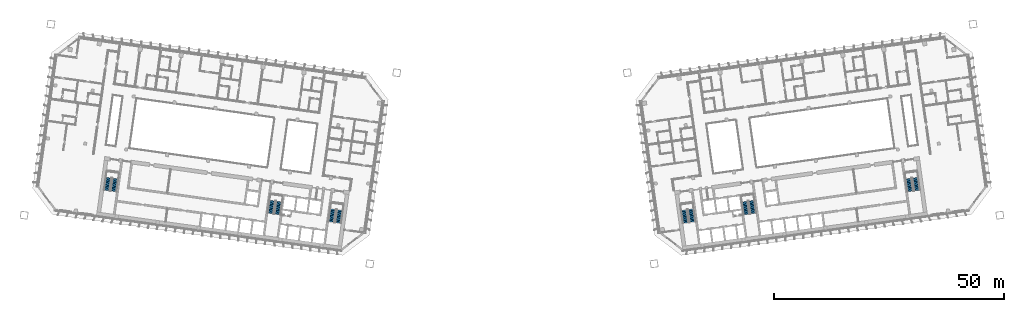
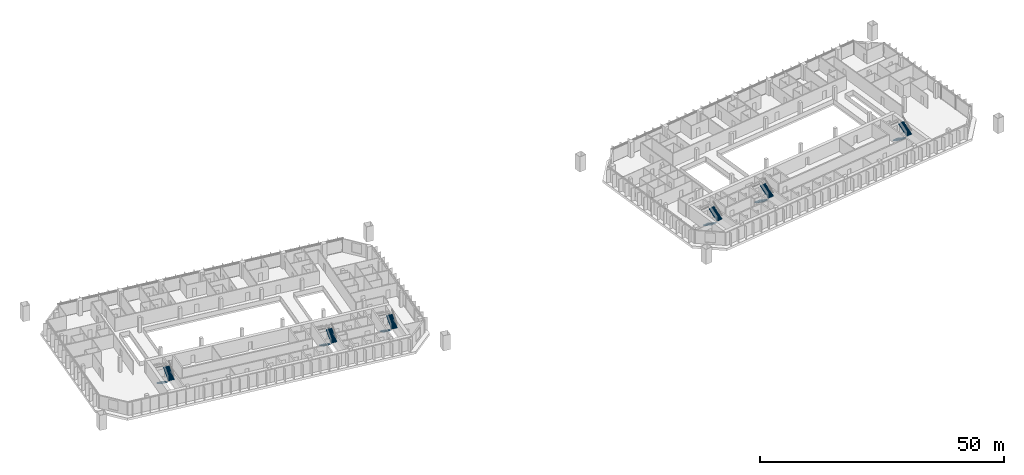
# One storey, part 24 of 27: 12 stair flights, 6 elements without a shape of their own.
"""IFC4 building model written with IfcOpenShell, lengths in metres."""

from ifc_helpers import new_model, si_unit, direction, frame, origin, place, context, subcontext, project, spatial, polyline, outline, extrude, material, type_object, element, aggregate, save


model = new_model("IFC4")

# Units and contexts
model_context = context("Model", 3, precision=1e-05, world=origin(), true_north=direction((0.0, 1.0)))
body_context = subcontext(model_context, "Body", "Model", "MODEL_VIEW")
ifc_project = project(units=[si_unit("LENGTHUNIT", "METRE"), si_unit("AREAUNIT", "SQUARE_METRE"), si_unit("VOLUMEUNIT", "CUBIC_METRE"), si_unit("PLANEANGLEUNIT", "RADIAN"), si_unit("MASSUNIT", "GRAM", prefix="KILO")], contexts=[model_context])

# Site, building, storey
site_placement = place(None, origin())
site = spatial("IfcSite", under=ifc_project, at=site_placement, CompositionType="ELEMENT")
building_placement = place(site_placement, origin())
building = spatial("IfcBuilding", under=site, at=building_placement, Name="Mirante Cascada Hotel Towers", CompositionType="ELEMENT")
storey_placement = place(building_placement, frame((0.0, 0.0, 117.7)))
storey = spatial("IfcBuildingStorey", under=building, at=storey_placement, Name="L26", CompositionType="ELEMENT", Elevation=117.7)

# Stair, stair flights
ifc_material_1 = material(Name="Concrete C35/45", Category="concrete")
stair_type = type_object("IfcStairType", Name="Exit stair half-turn 1350 concrete C35/45", PredefinedType="HALF_TURN_STAIR", material=ifc_material_1)
stair_1_placement = place(storey_placement, origin())
stair_1 = element("IfcStair", 1, at=stair_1_placement, inside=storey, type_object=stair_type, Name="L26 Exit stair A", PredefinedType="HALF_TURN_STAIR")
ifc_material_2 = material(Name="Concrete C35/45", Category="concrete")
stair_flight_type = type_object("IfcStairFlightType", Name="Exit stair flight 1350 concrete C35/45", PredefinedType="STRAIGHT", material=ifc_material_2)
stair_flight_1_placement = place(storey_placement, frame((-38.9417, -11.195, 0.0), z_axis=(0.0, 0.0, 1.0), x_axis=(-0.1391731, -0.9902681, 0.0)))
stair_flight_1 = element("IfcStairFlight", 2, at=stair_flight_1_placement, type_object=stair_flight_type, Name="ST1-A flight 1", NumberOfRisers=11, NumberOfTreads=10, PredefinedType="STRAIGHT", RiserHeight=0.172727273, TreadLength=0.28, context=body_context, shape_type="SweptSolid", body=[
    extrude(outline(polyline([(0.0, 0.0), (0.0, 0.1727), (0.28, 0.1727), (0.28, 0.3455), (0.56, 0.3455), (0.56, 0.5182), (0.84, 0.5182), (0.84, 0.6909), (1.12, 0.6909), (1.12, 0.8636), (1.4, 0.8636), (1.4, 1.0364), (1.68, 1.0364), (1.68, 1.2091), (1.96, 1.2091), (1.96, 1.3818), (2.24, 1.3818), (2.24, 1.5545), (2.52, 1.5545), (2.52, 1.7273), (2.8, 1.7273), (2.8, 1.9), (2.8, 1.551), (0.2857, 0.0), (0.0, 0.0)])), frame((0.0, 0.675, 0.0), z_axis=(0.0, -1.0, 0.0), x_axis=(1.0, 0.0, 0.0)), (0.0, 0.0, 1.0), 1.35),
])
stair_flight_2_placement = place(storey_placement, frame((-37.846, -14.1765, 1.9), z_axis=(0.0, 0.0, 1.0), x_axis=(0.1391731, 0.9902681, 0.0)))
stair_flight_2 = element("IfcStairFlight", 3, at=stair_flight_2_placement, type_object=stair_flight_type, Name="ST1-A flight 2", NumberOfRisers=11, NumberOfTreads=10, PredefinedType="STRAIGHT", RiserHeight=0.172727273, TreadLength=0.28, context=body_context, shape_type="SweptSolid", body=[
    extrude(outline(polyline([(0.0, 0.0), (0.0, 0.1727), (0.28, 0.1727), (0.28, 0.3455), (0.56, 0.3455), (0.56, 0.5182), (0.84, 0.5182), (0.84, 0.6909), (1.12, 0.6909), (1.12, 0.8636), (1.4, 0.8636), (1.4, 1.0364), (1.68, 1.0364), (1.68, 1.2091), (1.96, 1.2091), (1.96, 1.3818), (2.24, 1.3818), (2.24, 1.5545), (2.52, 1.5545), (2.52, 1.7273), (2.8, 1.7273), (2.8, 1.9), (2.8, 1.551), (0.2857, 0.0), (0.0, 0.0)])), frame((0.0, 0.675, 0.0), z_axis=(0.0, -1.0, 0.0), x_axis=(1.0, 0.0, 0.0)), (0.0, 0.0, 1.0), 1.35),
])
aggregate(stair_1, [stair_flight_1, stair_flight_2])

stair_2_placement = place(storey_placement, origin())
stair_2 = element("IfcStair", 4, at=stair_2_placement, inside=storey, type_object=stair_type, Name="L26 Exit stair B", PredefinedType="HALF_TURN_STAIR")
stair_flight_3_placement = place(storey_placement, frame((-52.1618, -9.3371, 0.0), z_axis=(0.0, 0.0, 1.0), x_axis=(-0.1391731, -0.9902681, 0.0)))
stair_flight_3 = element("IfcStairFlight", 5, at=stair_flight_3_placement, type_object=stair_flight_type, Name="ST1-B flight 1", NumberOfRisers=11, NumberOfTreads=10, PredefinedType="STRAIGHT", RiserHeight=0.172727273, TreadLength=0.28, context=body_context, shape_type="SweptSolid", body=[
    extrude(outline(polyline([(0.0, 0.0), (0.0, 0.1727), (0.28, 0.1727), (0.28, 0.3455), (0.56, 0.3455), (0.56, 0.5182), (0.84, 0.5182), (0.84, 0.6909), (1.12, 0.6909), (1.12, 0.8636), (1.4, 0.8636), (1.4, 1.0364), (1.68, 1.0364), (1.68, 1.2091), (1.96, 1.2091), (1.96, 1.3818), (2.24, 1.3818), (2.24, 1.5545), (2.52, 1.5545), (2.52, 1.7273), (2.8, 1.7273), (2.8, 1.9), (2.8, 1.551), (0.2857, 0.0), (0.0, 0.0)])), frame((0.0, 0.675, 0.0), z_axis=(0.0, -1.0, 0.0), x_axis=(1.0, 0.0, 0.0)), (0.0, 0.0, 1.0), 1.35),
])
stair_flight_4_placement = place(storey_placement, frame((-51.0661, -12.3186, 1.9), z_axis=(0.0, 0.0, 1.0), x_axis=(0.1391731, 0.9902681, 0.0)))
stair_flight_4 = element("IfcStairFlight", 6, at=stair_flight_4_placement, type_object=stair_flight_type, Name="ST1-B flight 2", NumberOfRisers=11, NumberOfTreads=10, PredefinedType="STRAIGHT", RiserHeight=0.172727273, TreadLength=0.28, context=body_context, shape_type="SweptSolid", body=[
    extrude(outline(polyline([(0.0, 0.0), (0.0, 0.1727), (0.28, 0.1727), (0.28, 0.3455), (0.56, 0.3455), (0.56, 0.5182), (0.84, 0.5182), (0.84, 0.6909), (1.12, 0.6909), (1.12, 0.8636), (1.4, 0.8636), (1.4, 1.0364), (1.68, 1.0364), (1.68, 1.2091), (1.96, 1.2091), (1.96, 1.3818), (2.24, 1.3818), (2.24, 1.5545), (2.52, 1.5545), (2.52, 1.7273), (2.8, 1.7273), (2.8, 1.9), (2.8, 1.551), (0.2857, 0.0), (0.0, 0.0)])), frame((0.0, 0.675, 0.0), z_axis=(0.0, -1.0, 0.0), x_axis=(1.0, 0.0, 0.0)), (0.0, 0.0, 1.0), 1.35),
])
aggregate(stair_2, [stair_flight_3, stair_flight_4])

stair_3_placement = place(storey_placement, origin())
stair_3 = element("IfcStair", 7, at=stair_3_placement, inside=storey, type_object=stair_type, Name="L26 Exit stair C", PredefinedType="HALF_TURN_STAIR")
stair_flight_5_placement = place(storey_placement, frame((-87.8115, -4.3268, 0.0), z_axis=(0.0, 0.0, 1.0), x_axis=(-0.1391731, -0.9902681, 0.0)))
stair_flight_5 = element("IfcStairFlight", 8, at=stair_flight_5_placement, type_object=stair_flight_type, Name="ST1-C flight 1", NumberOfRisers=11, NumberOfTreads=10, PredefinedType="STRAIGHT", RiserHeight=0.172727273, TreadLength=0.28, context=body_context, shape_type="SweptSolid", body=[
    extrude(outline(polyline([(0.0, 0.0), (0.0, 0.1727), (0.28, 0.1727), (0.28, 0.3455), (0.56, 0.3455), (0.56, 0.5182), (0.84, 0.5182), (0.84, 0.6909), (1.12, 0.6909), (1.12, 0.8636), (1.4, 0.8636), (1.4, 1.0364), (1.68, 1.0364), (1.68, 1.2091), (1.96, 1.2091), (1.96, 1.3818), (2.24, 1.3818), (2.24, 1.5545), (2.52, 1.5545), (2.52, 1.7273), (2.8, 1.7273), (2.8, 1.9), (2.8, 1.551), (0.2857, 0.0), (0.0, 0.0)])), frame((0.0, 0.675, 0.0), z_axis=(0.0, -1.0, 0.0), x_axis=(1.0, 0.0, 0.0)), (0.0, 0.0, 1.0), 1.35),
])
stair_flight_6_placement = place(storey_placement, frame((-86.7157, -7.3084, 1.9), z_axis=(0.0, 0.0, 1.0), x_axis=(0.1391731, 0.9902681, 0.0)))
stair_flight_6 = element("IfcStairFlight", 9, at=stair_flight_6_placement, type_object=stair_flight_type, Name="ST1-C flight 2", NumberOfRisers=11, NumberOfTreads=10, PredefinedType="STRAIGHT", RiserHeight=0.172727273, TreadLength=0.28, context=body_context, shape_type="SweptSolid", body=[
    extrude(outline(polyline([(0.0, 0.0), (0.0, 0.1727), (0.28, 0.1727), (0.28, 0.3455), (0.56, 0.3455), (0.56, 0.5182), (0.84, 0.5182), (0.84, 0.6909), (1.12, 0.6909), (1.12, 0.8636), (1.4, 0.8636), (1.4, 1.0364), (1.68, 1.0364), (1.68, 1.2091), (1.96, 1.2091), (1.96, 1.3818), (2.24, 1.3818), (2.24, 1.5545), (2.52, 1.5545), (2.52, 1.7273), (2.8, 1.7273), (2.8, 1.9), (2.8, 1.551), (0.2857, 0.0), (0.0, 0.0)])), frame((0.0, 0.675, 0.0), z_axis=(0.0, -1.0, 0.0), x_axis=(1.0, 0.0, 0.0)), (0.0, 0.0, 1.0), 1.35),
])
aggregate(stair_3, [stair_flight_5, stair_flight_6])

stair_4_placement = place(storey_placement, origin())
stair_4 = element("IfcStair", 10, at=stair_4_placement, inside=storey, type_object=stair_type, Name="L26 Exit stair A", PredefinedType="HALF_TURN_STAIR")
stair_flight_7_placement = place(storey_placement, frame((37.4563, -11.4038, 0.0), z_axis=(0.0, 0.0, 1.0), x_axis=(0.1391731, -0.9902681, 0.0)))
stair_flight_7 = element("IfcStairFlight", 11, at=stair_flight_7_placement, type_object=stair_flight_type, Name="ST2-A flight 1", NumberOfRisers=11, NumberOfTreads=10, PredefinedType="STRAIGHT", RiserHeight=0.172727273, TreadLength=0.28, context=body_context, shape_type="SweptSolid", body=[
    extrude(outline(polyline([(0.0, 0.0), (0.0, 0.1727), (0.28, 0.1727), (0.28, 0.3455), (0.56, 0.3455), (0.56, 0.5182), (0.84, 0.5182), (0.84, 0.6909), (1.12, 0.6909), (1.12, 0.8636), (1.4, 0.8636), (1.4, 1.0364), (1.68, 1.0364), (1.68, 1.2091), (1.96, 1.2091), (1.96, 1.3818), (2.24, 1.3818), (2.24, 1.5545), (2.52, 1.5545), (2.52, 1.7273), (2.8, 1.7273), (2.8, 1.9), (2.8, 1.551), (0.2857, 0.0), (0.0, 0.0)])), frame((0.0, 0.675, 0.0), z_axis=(0.0, -1.0, 0.0), x_axis=(1.0, 0.0, 0.0)), (0.0, 0.0, 1.0), 1.35),
])
stair_flight_8_placement = place(storey_placement, frame((39.3314, -13.9678, 1.9), z_axis=(0.0, 0.0, 1.0), x_axis=(-0.1391731, 0.9902681, 0.0)))
stair_flight_8 = element("IfcStairFlight", 12, at=stair_flight_8_placement, type_object=stair_flight_type, Name="ST2-A flight 2", NumberOfRisers=11, NumberOfTreads=10, PredefinedType="STRAIGHT", RiserHeight=0.172727273, TreadLength=0.28, context=body_context, shape_type="SweptSolid", body=[
    extrude(outline(polyline([(0.0, 0.0), (0.0, 0.1727), (0.28, 0.1727), (0.28, 0.3455), (0.56, 0.3455), (0.56, 0.5182), (0.84, 0.5182), (0.84, 0.6909), (1.12, 0.6909), (1.12, 0.8636), (1.4, 0.8636), (1.4, 1.0364), (1.68, 1.0364), (1.68, 1.2091), (1.96, 1.2091), (1.96, 1.3818), (2.24, 1.3818), (2.24, 1.5545), (2.52, 1.5545), (2.52, 1.7273), (2.8, 1.7273), (2.8, 1.9), (2.8, 1.551), (0.2857, 0.0), (0.0, 0.0)])), frame((0.0, 0.675, 0.0), z_axis=(0.0, -1.0, 0.0), x_axis=(1.0, 0.0, 0.0)), (0.0, 0.0, 1.0), 1.35),
])
aggregate(stair_4, [stair_flight_7, stair_flight_8])

stair_5_placement = place(storey_placement, origin())
stair_5 = element("IfcStair", 13, at=stair_5_placement, inside=storey, type_object=stair_type, Name="L26 Exit stair B", PredefinedType="HALF_TURN_STAIR")
stair_flight_9_placement = place(storey_placement, frame((50.6764, -9.5458, 0.0), z_axis=(0.0, 0.0, 1.0), x_axis=(0.1391731, -0.9902681, 0.0)))
stair_flight_9 = element("IfcStairFlight", 14, at=stair_flight_9_placement, type_object=stair_flight_type, Name="ST2-B flight 1", NumberOfRisers=11, NumberOfTreads=10, PredefinedType="STRAIGHT", RiserHeight=0.172727273, TreadLength=0.28, context=body_context, shape_type="SweptSolid", body=[
    extrude(outline(polyline([(0.0, 0.0), (0.0, 0.1727), (0.28, 0.1727), (0.28, 0.3455), (0.56, 0.3455), (0.56, 0.5182), (0.84, 0.5182), (0.84, 0.6909), (1.12, 0.6909), (1.12, 0.8636), (1.4, 0.8636), (1.4, 1.0364), (1.68, 1.0364), (1.68, 1.2091), (1.96, 1.2091), (1.96, 1.3818), (2.24, 1.3818), (2.24, 1.5545), (2.52, 1.5545), (2.52, 1.7273), (2.8, 1.7273), (2.8, 1.9), (2.8, 1.551), (0.2857, 0.0), (0.0, 0.0)])), frame((0.0, 0.675, 0.0), z_axis=(0.0, -1.0, 0.0), x_axis=(1.0, 0.0, 0.0)), (0.0, 0.0, 1.0), 1.35),
])
stair_flight_10_placement = place(storey_placement, frame((52.5515, -12.1098, 1.9), z_axis=(0.0, 0.0, 1.0), x_axis=(-0.1391731, 0.9902681, 0.0)))
stair_flight_10 = element("IfcStairFlight", 15, at=stair_flight_10_placement, type_object=stair_flight_type, Name="ST2-B flight 2", NumberOfRisers=11, NumberOfTreads=10, PredefinedType="STRAIGHT", RiserHeight=0.172727273, TreadLength=0.28, context=body_context, shape_type="SweptSolid", body=[
    extrude(outline(polyline([(0.0, 0.0), (0.0, 0.1727), (0.28, 0.1727), (0.28, 0.3455), (0.56, 0.3455), (0.56, 0.5182), (0.84, 0.5182), (0.84, 0.6909), (1.12, 0.6909), (1.12, 0.8636), (1.4, 0.8636), (1.4, 1.0364), (1.68, 1.0364), (1.68, 1.2091), (1.96, 1.2091), (1.96, 1.3818), (2.24, 1.3818), (2.24, 1.5545), (2.52, 1.5545), (2.52, 1.7273), (2.8, 1.7273), (2.8, 1.9), (2.8, 1.551), (0.2857, 0.0), (0.0, 0.0)])), frame((0.0, 0.675, 0.0), z_axis=(0.0, -1.0, 0.0), x_axis=(1.0, 0.0, 0.0)), (0.0, 0.0, 1.0), 1.35),
])
aggregate(stair_5, [stair_flight_9, stair_flight_10])

stair_6_placement = place(storey_placement, origin())
stair_6 = element("IfcStair", 16, at=stair_6_placement, inside=storey, type_object=stair_type, Name="L26 Exit stair C", PredefinedType="HALF_TURN_STAIR")
stair_flight_11_placement = place(storey_placement, frame((86.326, -4.5356, 0.0), z_axis=(0.0, 0.0, 1.0), x_axis=(0.1391731, -0.9902681, 0.0)))
stair_flight_11 = element("IfcStairFlight", 17, at=stair_flight_11_placement, type_object=stair_flight_type, Name="ST2-C flight 1", NumberOfRisers=11, NumberOfTreads=10, PredefinedType="STRAIGHT", RiserHeight=0.172727273, TreadLength=0.28, context=body_context, shape_type="SweptSolid", body=[
    extrude(outline(polyline([(0.0, 0.0), (0.0, 0.1727), (0.28, 0.1727), (0.28, 0.3455), (0.56, 0.3455), (0.56, 0.5182), (0.84, 0.5182), (0.84, 0.6909), (1.12, 0.6909), (1.12, 0.8636), (1.4, 0.8636), (1.4, 1.0364), (1.68, 1.0364), (1.68, 1.2091), (1.96, 1.2091), (1.96, 1.3818), (2.24, 1.3818), (2.24, 1.5545), (2.52, 1.5545), (2.52, 1.7273), (2.8, 1.7273), (2.8, 1.9), (2.8, 1.551), (0.2857, 0.0), (0.0, 0.0)])), frame((0.0, 0.675, 0.0), z_axis=(0.0, -1.0, 0.0), x_axis=(1.0, 0.0, 0.0)), (0.0, 0.0, 1.0), 1.35),
])
stair_flight_12_placement = place(storey_placement, frame((88.2011, -7.0996, 1.9), z_axis=(0.0, 0.0, 1.0), x_axis=(-0.1391731, 0.9902681, 0.0)))
stair_flight_12 = element("IfcStairFlight", 18, at=stair_flight_12_placement, type_object=stair_flight_type, Name="ST2-C flight 2", NumberOfRisers=11, NumberOfTreads=10, PredefinedType="STRAIGHT", RiserHeight=0.172727273, TreadLength=0.28, context=body_context, shape_type="SweptSolid", body=[
    extrude(outline(polyline([(0.0, 0.0), (0.0, 0.1727), (0.28, 0.1727), (0.28, 0.3455), (0.56, 0.3455), (0.56, 0.5182), (0.84, 0.5182), (0.84, 0.6909), (1.12, 0.6909), (1.12, 0.8636), (1.4, 0.8636), (1.4, 1.0364), (1.68, 1.0364), (1.68, 1.2091), (1.96, 1.2091), (1.96, 1.3818), (2.24, 1.3818), (2.24, 1.5545), (2.52, 1.5545), (2.52, 1.7273), (2.8, 1.7273), (2.8, 1.9), (2.8, 1.551), (0.2857, 0.0), (0.0, 0.0)])), frame((0.0, 0.675, 0.0), z_axis=(0.0, -1.0, 0.0), x_axis=(1.0, 0.0, 0.0)), (0.0, 0.0, 1.0), 1.35),
])
aggregate(stair_6, [stair_flight_11, stair_flight_12])

save(model, "model.ifc")
